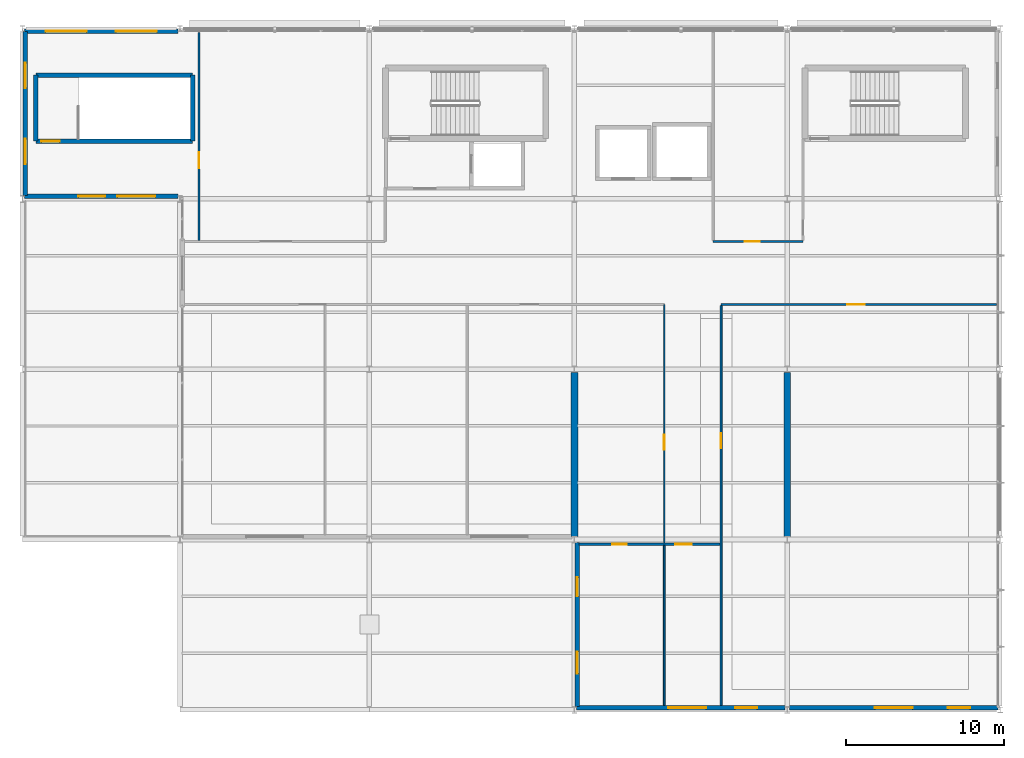
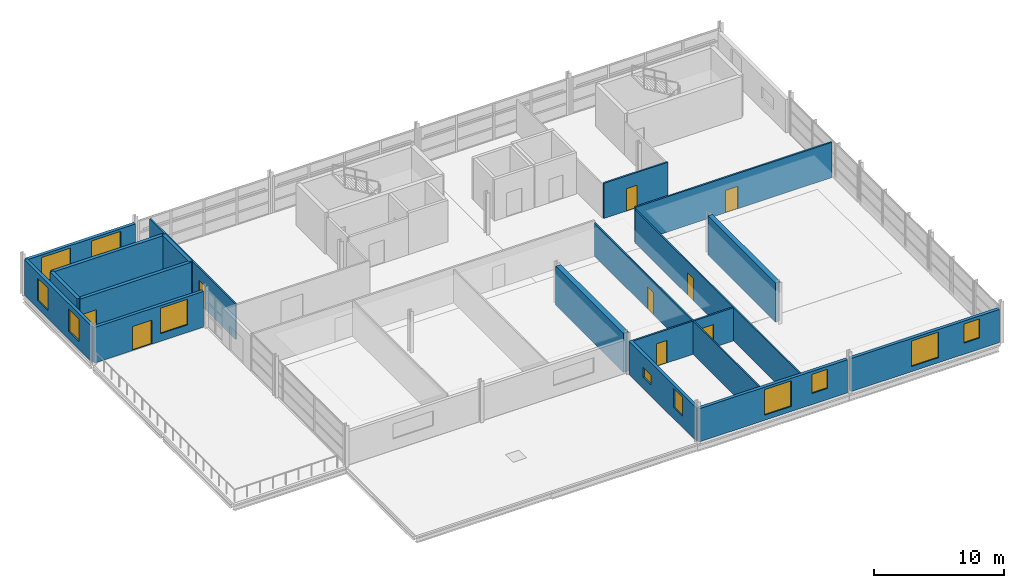
# One storey, part 28 of 33: 19 walls, 11 windows, 9 doors, 20 openings.
"""IFC4 building model written with IfcOpenShell, lengths in metres."""

from ifc_helpers import new_model, si_unit, direction, frame, frame_2d, origin, place, context, subcontext, project, spatial, rectangle, extrude, material, layer, layer_set, type_object, element, fill, save


model = new_model("IFC4")

# Units and contexts
model_context = context("Model", 3, precision=1e-05, world=origin(), true_north=direction((0.0, 1.0)))
body_context = subcontext(model_context, "Body", "Model", "MODEL_VIEW")
ifc_project = project(units=[si_unit("LENGTHUNIT", "METRE"), si_unit("AREAUNIT", "SQUARE_METRE"), si_unit("VOLUMEUNIT", "CUBIC_METRE"), si_unit("PLANEANGLEUNIT", "RADIAN"), si_unit("MASSUNIT", "GRAM", prefix="KILO")], contexts=[model_context])

# Site, building, storey
site_placement = place(None, origin())
site = spatial("IfcSite", under=ifc_project, at=site_placement, CompositionType="ELEMENT")
building_placement = place(site_placement, origin())
building = spatial("IfcBuilding", under=site, at=building_placement, Name="Tamarisk Ironworks Central Station", CompositionType="ELEMENT")
storey_placement = place(building_placement, frame((0.0, 0.0, 21.300048828125)))
storey = spatial("IfcBuildingStorey", under=building, at=storey_placement, Name="L04", CompositionType="ELEMENT", Elevation=21.300048828125)

# Wall, openings, windows
ifc_material_1 = material(Name="Clay facing brickwork and mortar", Category="masonry")
ifc_layer_1 = layer(ifc_material_1, 0.280029296875)
ifc_layer_set_1 = layer_set([ifc_layer_1], Name="Clay facing brickwork and mortar")
wall_type_1 = type_object("IfcWallType", Name="WL-BR280", PredefinedType="STANDARD", material=ifc_layer_set_1)
wall_1_placement = place(storey_placement, frame((118.14794921875, 122.22998046875, 0.0), z_axis=(0.0, 0.0, 1.0), x_axis=(1.0, 0.0, 0.0)))
wall_1 = element("IfcWall", 1, at=wall_1_placement, inside=storey, type_object=wall_type_1, Name="L04 brick facade wall 0088", PredefinedType="STANDARD", context=body_context, shape_type="SweptSolid", body=[
    extrude(rectangle(XDim=9.7041015625, YDim=0.280029296875, at=frame_2d((4.85205078125, 0.0))), origin(), (0.0, 0.0, 1.0), 3.349853515625),
])
opening_1_placement = place(wall_1_placement, frame((1.325927734375, 0.0, 0.7099609375)))
opening_1 = element("IfcOpeningElement", 2, at=opening_1_placement, cuts=wall_1, Name="Opening W05", PredefinedType="OPENING", context=body_context, shape_type="SweptSolid", body=[
    extrude(rectangle(XDim=2.60009765625, YDim=2.39990234375, at=frame_2d((1.300048828125, 1.199951171875))), frame((0.0, 0.15185546875, 0.0), z_axis=(0.0, -1.0, 0.0), x_axis=(1.0, 0.0, 0.0)), (0.0, 0.0, 1.0), 0.303955078125),
])
opening_2_placement = place(wall_1_placement, frame((5.778076171875, 0.0, 0.7099609375)))
opening_2 = element("IfcOpeningElement", 3, at=opening_2_placement, cuts=wall_1, Name="Opening W05", PredefinedType="OPENING", context=body_context, shape_type="SweptSolid", body=[
    extrude(rectangle(XDim=2.60009765625, YDim=2.39990234375, at=frame_2d((1.300048828125, 1.199951171875))), frame((0.0, 0.15185546875, 0.0), z_axis=(0.0, -1.0, 0.0), x_axis=(1.0, 0.0, 0.0)), (0.0, 0.0, 1.0), 0.303955078125),
])
ifc_material_2 = material(Name="Laminated solar-control low-E glass", Category="glass")
window_type_1 = type_object("IfcWindowType", Name="WN-05", PartitioningType="SINGLE_PANEL", PredefinedType="WINDOW", material=ifc_material_2)
window_1_placement = place(opening_1_placement, origin())
window_1 = element("IfcWindow", 4, at=window_1_placement, inside=storey, type_object=window_type_1, Name="L04 exterior window 0150", OverallHeight=2.39990234375, OverallWidth=2.60009765625, PartitioningType="DOUBLE_PANEL_VERTICAL", PredefinedType="WINDOW", context=body_context, shape_type="SweptSolid", body=[
    extrude(rectangle(XDim=2.60009765625, YDim=2.39990234375, at=frame_2d((1.300048828125, 1.199951171875))), frame((0.0, 0.030029296875, 0.0), z_axis=(0.0, -1.0, 0.0), x_axis=(1.0, 0.0, 0.0)), (0.0, 0.0, 1.0), 0.06005859375),
])
fill(opening_1, window_1)
window_2_placement = place(opening_2_placement, origin())
window_2 = element("IfcWindow", 5, at=window_2_placement, inside=storey, type_object=window_type_1, Name="L04 exterior window 0151", OverallHeight=2.39990234375, OverallWidth=2.60009765625, PartitioningType="DOUBLE_PANEL_VERTICAL", PredefinedType="WINDOW", context=body_context, shape_type="SweptSolid", body=[
    extrude(rectangle(XDim=2.60009765625, YDim=2.39990234375, at=frame_2d((1.300048828125, 1.199951171875))), frame((0.0, 0.030029296875, 0.0), z_axis=(0.0, -1.0, 0.0), x_axis=(1.0, 0.0, 0.0)), (0.0, 0.0, 1.0), 0.06005859375),
])
fill(opening_2, window_2)

wall_2_placement = place(storey_placement, frame((153.14794921875, 79.340087890625, 0.0), z_axis=(0.0, 0.0, 1.0), x_axis=(1.0, 0.0, 0.0)))
wall_2 = element("IfcWall", 6, at=wall_2_placement, inside=storey, type_object=wall_type_1, Name="L04 brick facade wall 0090", PredefinedType="STANDARD", context=body_context, shape_type="SweptSolid", body=[
    extrude(rectangle(XDim=13.2041015625, YDim=0.280029296875, at=frame_2d((6.60205078125, 0.0))), origin(), (0.0, 0.0, 1.0), 3.119873046875),
])
opening_3_placement = place(wall_2_placement, frame((5.802001953125, 0.0, 0.47998046875)))
opening_3 = element("IfcOpeningElement", 7, at=opening_3_placement, cuts=wall_2, Name="Opening W06", PredefinedType="OPENING", context=body_context, shape_type="SweptSolid", body=[
    extrude(rectangle(XDim=2.39990234375, YDim=2.39990234375, at=frame_2d((1.199951171875, 1.199951171875))), frame((0.0, 0.15185546875, 0.0), z_axis=(0.0, -1.0, 0.0), x_axis=(1.0, 0.0, 0.0)), (0.0, 0.0, 1.0), 0.303955078125),
])
opening_4_placement = place(wall_2_placement, frame((10.037109375, 0.0, 1.050048828125)))
opening_4 = element("IfcOpeningElement", 8, at=opening_4_placement, cuts=wall_2, Name="Opening W12", PredefinedType="OPENING", context=body_context, shape_type="SweptSolid", body=[
    extrude(rectangle(XDim=1.39990234375, YDim=1.800048828125, at=frame_2d((0.699951171875, 0.89990234375))), frame((0.0, 0.15185546875, 0.0), z_axis=(0.0, -1.0, 0.0), x_axis=(1.0, 0.0, 0.0)), (0.0, 0.0, 1.0), 0.303955078125),
])
window_type_2 = type_object("IfcWindowType", Name="WN-06", PartitioningType="SINGLE_PANEL", PredefinedType="WINDOW", material=ifc_material_2)
window_3_placement = place(opening_3_placement, origin())
window_3 = element("IfcWindow", 9, at=window_3_placement, inside=storey, type_object=window_type_2, Name="L04 exterior window 0154", OverallHeight=2.39990234375, OverallWidth=2.39990234375, PartitioningType="DOUBLE_PANEL_VERTICAL", PredefinedType="WINDOW", context=body_context, shape_type="SweptSolid", body=[
    extrude(rectangle(XDim=2.39990234375, YDim=2.39990234375, at=frame_2d((1.199951171875, 1.199951171875))), frame((0.0, 0.030029296875, 0.0), z_axis=(0.0, -1.0, 0.0), x_axis=(1.0, 0.0, 0.0)), (0.0, 0.0, 1.0), 0.06005859375),
])
fill(opening_3, window_3)
window_type_3 = type_object("IfcWindowType", Name="WN-12", PartitioningType="SINGLE_PANEL", PredefinedType="WINDOW", material=ifc_material_2)
window_4_placement = place(opening_4_placement, origin())
window_4 = element("IfcWindow", 10, at=window_4_placement, inside=storey, type_object=window_type_3, Name="L04 exterior window 0155", OverallHeight=1.800048828125, OverallWidth=1.39990234375, PartitioningType="DOUBLE_PANEL_VERTICAL", PredefinedType="WINDOW", context=body_context, shape_type="SweptSolid", body=[
    extrude(rectangle(XDim=1.39990234375, YDim=1.800048828125, at=frame_2d((0.699951171875, 0.89990234375))), frame((0.0, 0.030029296875, 0.0), z_axis=(0.0, -1.0, 0.0), x_axis=(1.0, 0.0, 0.0)), (0.0, 0.0, 1.0), 0.06005859375),
])
fill(opening_4, window_4)

wall_3_placement = place(storey_placement, frame((166.64794921875, 79.340087890625, 0.0), z_axis=(0.0, 0.0, 1.0), x_axis=(1.0, 0.0, 0.0)))
wall_3 = element("IfcWall", 11, at=wall_3_placement, inside=storey, type_object=wall_type_1, Name="L04 brick facade wall 0091", PredefinedType="STANDARD", context=body_context, shape_type="SweptSolid", body=[
    extrude(rectangle(XDim=13.2041015625, YDim=0.280029296875, at=frame_2d((6.60205078125, 0.0))), origin(), (0.0, 0.0, 1.0), 3.119873046875),
])
opening_5_placement = place(wall_3_placement, frame((5.402099609375, 0.0, 0.47998046875)))
opening_5 = element("IfcOpeningElement", 12, at=opening_5_placement, cuts=wall_3, Name="Opening W06", PredefinedType="OPENING", context=body_context, shape_type="SweptSolid", body=[
    extrude(rectangle(XDim=2.39990234375, YDim=2.39990234375, at=frame_2d((1.199951171875, 1.199951171875))), frame((0.0, 0.15185546875, 0.0), z_axis=(0.0, -1.0, 0.0), x_axis=(1.0, 0.0, 0.0)), (0.0, 0.0, 1.0), 0.303955078125),
])
opening_6_placement = place(wall_3_placement, frame((10.037109375, 0.0, 1.050048828125)))
opening_6 = element("IfcOpeningElement", 13, at=opening_6_placement, cuts=wall_3, Name="Opening W12", PredefinedType="OPENING", context=body_context, shape_type="SweptSolid", body=[
    extrude(rectangle(XDim=1.39990234375, YDim=1.800048828125, at=frame_2d((0.699951171875, 0.89990234375))), frame((0.0, 0.15185546875, 0.0), z_axis=(0.0, -1.0, 0.0), x_axis=(1.0, 0.0, 0.0)), (0.0, 0.0, 1.0), 0.303955078125),
])
window_5_placement = place(opening_5_placement, origin())
window_5 = element("IfcWindow", 14, at=window_5_placement, inside=storey, type_object=window_type_2, Name="L04 exterior window 0156", OverallHeight=2.39990234375, OverallWidth=2.39990234375, PartitioningType="DOUBLE_PANEL_VERTICAL", PredefinedType="WINDOW", context=body_context, shape_type="SweptSolid", body=[
    extrude(rectangle(XDim=2.39990234375, YDim=2.39990234375, at=frame_2d((1.199951171875, 1.199951171875))), frame((0.0, 0.030029296875, 0.0), z_axis=(0.0, -1.0, 0.0), x_axis=(1.0, 0.0, 0.0)), (0.0, 0.0, 1.0), 0.06005859375),
])
fill(opening_5, window_5)
window_6_placement = place(opening_6_placement, origin())
window_6 = element("IfcWindow", 15, at=window_6_placement, inside=storey, type_object=window_type_3, Name="L04 exterior window 0157", OverallHeight=1.800048828125, OverallWidth=1.39990234375, PartitioningType="DOUBLE_PANEL_VERTICAL", PredefinedType="WINDOW", context=body_context, shape_type="SweptSolid", body=[
    extrude(rectangle(XDim=1.39990234375, YDim=1.800048828125, at=frame_2d((0.699951171875, 0.89990234375))), frame((0.0, 0.030029296875, 0.0), z_axis=(0.0, -1.0, 0.0), x_axis=(1.0, 0.0, 0.0)), (0.0, 0.0, 1.0), 0.06005859375),
])
fill(opening_6, window_6)

wall_4_placement = place(storey_placement, frame((118.169921875, 111.798095703125, 0.0), z_axis=(0.0, 0.0, 1.0), x_axis=(0.0, 1.0, 0.0)))
wall_4 = element("IfcWall", 16, at=wall_4_placement, inside=storey, type_object=wall_type_1, Name="L04 brick facade wall 0092", PredefinedType="STANDARD", context=body_context, shape_type="SweptSolid", body=[
    extrude(rectangle(XDim=10.423828125, YDim=0.280029296875, at=frame_2d((5.2119140625, 0.0))), origin(), (0.0, 0.0, 1.0), 3.349853515625),
])
opening_7_placement = place(wall_4_placement, frame((2.006103515625, 0.0, 0.75)))
opening_7 = element("IfcOpeningElement", 17, at=opening_7_placement, cuts=wall_4, Name="Opening W10", PredefinedType="OPENING", context=body_context, shape_type="SweptSolid", body=[
    extrude(rectangle(XDim=1.60009765625, YDim=2.10009765625, at=frame_2d((0.800048828125, 1.050048828125))), frame((0.0, 0.15185546875, 0.0), z_axis=(0.0, -1.0, 0.0), x_axis=(1.0, 0.0, 0.0)), (0.0, 0.0, 1.0), 0.303955078125),
])
opening_8_placement = place(wall_4_placement, frame((6.818115234375, 0.0, 0.75)))
opening_8 = element("IfcOpeningElement", 18, at=opening_8_placement, cuts=wall_4, Name="Opening W10", PredefinedType="OPENING", context=body_context, shape_type="SweptSolid", body=[
    extrude(rectangle(XDim=1.60009765625, YDim=2.10009765625, at=frame_2d((0.800048828125, 1.050048828125))), frame((0.0, 0.15185546875, 0.0), z_axis=(0.0, -1.0, 0.0), x_axis=(1.0, 0.0, 0.0)), (0.0, 0.0, 1.0), 0.303955078125),
])
window_type_4 = type_object("IfcWindowType", Name="WN-10", PartitioningType="SINGLE_PANEL", PredefinedType="WINDOW", material=ifc_material_2)
window_7_placement = place(opening_7_placement, origin())
window_7 = element("IfcWindow", 19, at=window_7_placement, inside=storey, type_object=window_type_4, Name="L04 exterior window 0158", OverallHeight=2.10009765625, OverallWidth=1.60009765625, PartitioningType="DOUBLE_PANEL_VERTICAL", PredefinedType="WINDOW", context=body_context, shape_type="SweptSolid", body=[
    extrude(rectangle(XDim=1.60009765625, YDim=2.10009765625, at=frame_2d((0.800048828125, 1.050048828125))), frame((0.0, 0.030029296875, 0.0), z_axis=(0.0, -1.0, 0.0), x_axis=(1.0, 0.0, 0.0)), (0.0, 0.0, 1.0), 0.06005859375),
])
fill(opening_7, window_7)
window_8_placement = place(opening_8_placement, origin())
window_8 = element("IfcWindow", 20, at=window_8_placement, inside=storey, type_object=window_type_4, Name="L04 exterior window 0159", OverallHeight=2.10009765625, OverallWidth=1.60009765625, PartitioningType="DOUBLE_PANEL_VERTICAL", PredefinedType="WINDOW", context=body_context, shape_type="SweptSolid", body=[
    extrude(rectangle(XDim=1.60009765625, YDim=2.10009765625, at=frame_2d((0.800048828125, 1.050048828125))), frame((0.0, 0.030029296875, 0.0), z_axis=(0.0, -1.0, 0.0), x_axis=(1.0, 0.0, 0.0)), (0.0, 0.0, 1.0), 0.06005859375),
])
fill(opening_8, window_8)

# Wall, openings, door, window
wall_5_placement = place(storey_placement, frame((118.14794921875, 111.77001953125, 0.0), z_axis=(0.0, 0.0, 1.0), x_axis=(1.0, 0.0, 0.0)))
wall_5 = element("IfcWall", 21, at=wall_5_placement, inside=storey, type_object=wall_type_1, Name="L04 brick facade wall 0093", PredefinedType="STANDARD", context=body_context, shape_type="SweptSolid", body=[
    extrude(rectangle(XDim=9.7041015625, YDim=0.280029296875, at=frame_2d((4.85205078125, 0.0))), origin(), (0.0, 0.0, 1.0), 3.349853515625),
])
opening_9_placement = place(wall_5_placement, frame((3.39990234375, 0.0, 0.0048828125)))
opening_9 = element("IfcOpeningElement", 22, at=opening_9_placement, cuts=wall_5, Name="Opening TD02", PredefinedType="OPENING", context=body_context, shape_type="SweptSolid", body=[
    extrude(rectangle(XDim=1.699951171875, YDim=2.25, at=frame_2d((0.85009765625, 1.125))), frame((0.0, 0.15185546875, 0.0), z_axis=(0.0, -1.0, 0.0), x_axis=(1.0, 0.0, 0.0)), (0.0, 0.0, 1.0), 0.303955078125),
])
opening_10_placement = place(wall_5_placement, frame((5.8779296875, 0.0, 0.7099609375)))
opening_10 = element("IfcOpeningElement", 23, at=opening_10_placement, cuts=wall_5, Name="Opening W06", PredefinedType="OPENING", context=body_context, shape_type="SweptSolid", body=[
    extrude(rectangle(XDim=2.39990234375, YDim=2.39990234375, at=frame_2d((1.199951171875, 1.199951171875))), frame((0.0, 0.15185546875, 0.0), z_axis=(0.0, -1.0, 0.0), x_axis=(1.0, 0.0, 0.0)), (0.0, 0.0, 1.0), 0.303955078125),
])
ifc_material_3 = material(Name="Anodized aluminium alloy 6063-T6", Category="aluminium")
door_type_1 = type_object("IfcDoorType", Name="DR-TD02", OperationType="NOTDEFINED", PredefinedType="DOOR", material=ifc_material_3)
door_1_placement = place(opening_9_placement, origin())
door_1 = element("IfcDoor", 24, at=door_1_placement, inside=storey, type_object=door_type_1, Name="L04 exterior entrance door 0014", OperationType="SINGLE_SWING_LEFT", OverallHeight=2.25, OverallWidth=1.699951171875, PredefinedType="DOOR", context=body_context, shape_type="SweptSolid", body=[
    extrude(rectangle(XDim=1.699951171875, YDim=2.25, at=frame_2d((0.85009765625, 1.125))), frame((0.0, 0.02490234375, 0.0), z_axis=(0.0, -1.0, 0.0), x_axis=(1.0, 0.0, 0.0)), (0.0, 0.0, 1.0), 0.050048828125),
])
fill(opening_9, door_1)
window_9_placement = place(opening_10_placement, origin())
window_9 = element("IfcWindow", 25, at=window_9_placement, inside=storey, type_object=window_type_2, Name="L04 exterior window 0160", OverallHeight=2.39990234375, OverallWidth=2.39990234375, PartitioningType="DOUBLE_PANEL_VERTICAL", PredefinedType="WINDOW", context=body_context, shape_type="SweptSolid", body=[
    extrude(rectangle(XDim=2.39990234375, YDim=2.39990234375, at=frame_2d((1.199951171875, 1.199951171875))), frame((0.0, 0.030029296875, 0.0), z_axis=(0.0, -1.0, 0.0), x_axis=(1.0, 0.0, 0.0)), (0.0, 0.0, 1.0), 0.06005859375),
])
fill(opening_10, window_9)

# Wall, openings, windows
wall_6_placement = place(storey_placement, frame((153.169921875, 79.39794921875, 0.0), z_axis=(0.0, 0.0, 1.0), x_axis=(0.0, 1.0, 0.0)))
wall_6 = element("IfcWall", 26, at=wall_6_placement, inside=storey, type_object=wall_type_1, Name="L04 brick facade wall 0096", PredefinedType="STANDARD", context=body_context, shape_type="SweptSolid", body=[
    extrude(rectangle(XDim=10.404052734375, YDim=0.280029296875, at=frame_2d((5.2021484375, 0.0))), origin(), (0.0, 0.0, 1.0), 3.119873046875),
])
opening_11_placement = place(wall_6_placement, frame((2.10107421875, 0.0, 1.050048828125)))
opening_11 = element("IfcOpeningElement", 27, at=opening_11_placement, cuts=wall_6, Name="Opening W12", PredefinedType="OPENING", context=body_context, shape_type="SweptSolid", body=[
    extrude(rectangle(XDim=1.39990234375, YDim=1.800048828125, at=frame_2d((0.699951171875, 0.89990234375))), frame((0.0, 0.15185546875, 0.0), z_axis=(0.0, -1.0, 0.0), x_axis=(1.0, 0.0, 0.0)), (0.0, 0.0, 1.0), 0.303955078125),
])
opening_12_placement = place(wall_6_placement, frame((7.0029296875, 0.0, 1.050048828125)))
opening_12 = element("IfcOpeningElement", 28, at=opening_12_placement, cuts=wall_6, Name="Opening W19", PredefinedType="OPENING", context=body_context, shape_type="SweptSolid", body=[
    extrude(rectangle(XDim=1.199951171875, YDim=0.89990234375, at=frame_2d((0.60009765625, 0.449951171875))), frame((0.0, 0.15185546875, 0.0), z_axis=(0.0, -1.0, 0.0), x_axis=(1.0, 0.0, 0.0)), (0.0, 0.0, 1.0), 0.303955078125),
])
window_10_placement = place(opening_11_placement, origin())
window_10 = element("IfcWindow", 29, at=window_10_placement, inside=storey, type_object=window_type_3, Name="L04 exterior window 0163", OverallHeight=1.800048828125, OverallWidth=1.39990234375, PartitioningType="DOUBLE_PANEL_VERTICAL", PredefinedType="WINDOW", context=body_context, shape_type="SweptSolid", body=[
    extrude(rectangle(XDim=1.39990234375, YDim=1.800048828125, at=frame_2d((0.699951171875, 0.89990234375))), frame((0.0, 0.030029296875, 0.0), z_axis=(0.0, -1.0, 0.0), x_axis=(1.0, 0.0, 0.0)), (0.0, 0.0, 1.0), 0.06005859375),
])
fill(opening_11, window_10)
window_type_5 = type_object("IfcWindowType", Name="WN-19", PartitioningType="SINGLE_PANEL", PredefinedType="WINDOW", material=ifc_material_2)
window_11_placement = place(opening_12_placement, origin())
window_11 = element("IfcWindow", 30, at=window_11_placement, inside=storey, type_object=window_type_5, Name="L04 exterior window 0164", OverallHeight=0.89990234375, OverallWidth=1.199951171875, PartitioningType="DOUBLE_PANEL_VERTICAL", PredefinedType="WINDOW", context=body_context, shape_type="SweptSolid", body=[
    extrude(rectangle(XDim=1.199951171875, YDim=0.89990234375, at=frame_2d((0.60009765625, 0.449951171875))), frame((0.0, 0.030029296875, 0.0), z_axis=(0.0, -1.0, 0.0), x_axis=(1.0, 0.0, 0.0)), (0.0, 0.0, 1.0), 0.06005859375),
])
fill(opening_12, window_11)

# Wall, opening, door
ifc_material_4 = material(Name="Concrete C50/60", Category="concrete")
ifc_layer_2 = layer(ifc_material_4, 0.300048828125)
ifc_layer_set_2 = layer_set([ifc_layer_2], Name="Concrete C50/60")
wall_type_2 = type_object("IfcWallType", Name="WL-CW300", PredefinedType="SOLIDWALL", material=ifc_layer_set_2)
wall_7_placement = place(storey_placement, frame((118.85498046875, 115.2548828125, 0.0), z_axis=(0.0, 0.0, 1.0), x_axis=(1.0, 0.0, 0.0)))
wall_7 = element("IfcWall", 31, at=wall_7_placement, inside=storey, type_object=wall_type_2, Name="ST-C5 core wall L (L04)", PredefinedType="SOLIDWALL", context=body_context, shape_type="SweptSolid", body=[
    extrude(rectangle(XDim=9.93994140625, YDim=0.300048828125, at=frame_2d((4.969970703125, 0.0))), origin(), (0.0, 0.0, 1.0), 3.64990234375),
])
opening_13_placement = place(wall_7_placement, frame((0.35009765625, 0.0, 0.0048828125)))
opening_13 = element("IfcOpeningElement", 32, at=opening_13_placement, cuts=wall_7, Name="Opening FD06", PredefinedType="OPENING", context=body_context, shape_type="SweptSolid", body=[
    extrude(rectangle(XDim=1.14990234375, YDim=2.14990234375, at=frame_2d((0.574951171875, 1.074951171875))), frame((0.0, 0.162109375, 0.0), z_axis=(0.0, -1.0, 0.0), x_axis=(1.0, 0.0, 0.0)), (0.0, 0.0, 1.0), 0.323974609375),
])
ifc_material_5 = material(Name="Galvanised hollow-metal door steel", Category="steel")
door_type_2 = type_object("IfcDoorType", Name="DR-FD06", OperationType="NOTDEFINED", PredefinedType="DOOR", material=ifc_material_5)
door_2_placement = place(opening_13_placement, origin())
door_2 = element("IfcDoor", 33, at=door_2_placement, inside=storey, type_object=door_type_2, Name="ST-C5 fire stair door (L04)", OperationType="SINGLE_SWING_LEFT", OverallHeight=2.14990234375, OverallWidth=1.14990234375, PredefinedType="DOOR", context=body_context, shape_type="SweptSolid", body=[
    extrude(rectangle(XDim=1.14990234375, YDim=2.14990234375, at=frame_2d((0.574951171875, 1.074951171875))), frame((0.0, 0.02490234375, 0.0), z_axis=(0.0, -1.0, 0.0), x_axis=(1.0, 0.0, 0.0)), (0.0, 0.0, 1.0), 0.050048828125),
])
fill(opening_13, door_2)

# Walls
wall_8_placement = place(storey_placement, frame((118.85498046875, 119.445068359375, 0.0), z_axis=(0.0, 0.0, 1.0), x_axis=(1.0, 0.0, 0.0)))
element("IfcWall", 34, at=wall_8_placement, inside=storey, type_object=wall_type_2, Name="ST-C5 core wall R (L04)", PredefinedType="SOLIDWALL", context=body_context, shape_type="SweptSolid", body=[
    extrude(rectangle(XDim=9.93994140625, YDim=0.300048828125, at=frame_2d((4.969970703125, 0.0))), origin(), (0.0, 0.0, 1.0), 3.64990234375),
])
for number, where, z_axis, x_axis, name in (
    (35, (118.85498046875, 115.2548828125, 0.0), (0.0, 0.0, 1.0), (0.0, 1.0, 0.0), "ST-C5 core wall N (L04)"),
    (36, (128.794921875, 115.2548828125, 0.0), (0.0, 0.0, 1.0), (0.0, 1.0, 0.0), "ST-C5 core wall F (L04)"),
):
    element("IfcWall", number, at=place(storey_placement, frame(where, z_axis=z_axis, x_axis=x_axis)), inside=storey, type_object=wall_type_2, Name=name, PredefinedType="SOLIDWALL", context=body_context, shape_type="SweptSolid", body=[
        extrude(rectangle(XDim=4.190185546875, YDim=0.300048828125, at=frame_2d((2.09521484375, 0.0))), origin(), (0.0, 0.0, 1.0), 3.64990234375),
    ])

# Wall, opening, door
ifc_material_6 = material(Name="Gypsum plasterboard acoustic partition")
ifc_layer_3 = layer(ifc_material_6, 0.1201171875)
ifc_layer_set_3 = layer_set([ifc_layer_3], Name="Gypsum plasterboard acoustic partition")
wall_type_3 = type_object("IfcWallType", Name="WL-PT120", PredefinedType="PARTITIONING", material=ifc_layer_set_3)
wall_9_placement = place(storey_placement, frame((158.699951171875, 89.699951171875, 0.0), z_axis=(0.0, 0.0, 1.0), x_axis=(0.0, 1.0, 0.0)))
wall_9 = element("IfcWall", 37, at=wall_9_placement, inside=storey, type_object=wall_type_3, Name="L04 interior partition 0117", PredefinedType="PARTITIONING", context=body_context, shape_type="SweptSolid", body=[
    extrude(rectangle(XDim=15.199951171875, YDim=0.1201171875, at=frame_2d((7.60009765625, 0.0))), origin(), (0.0, 0.0, 1.0), 3.119873046875),
])
opening_14_placement = place(wall_9_placement, frame((6.0, 0.0, 0.0048828125)))
opening_14 = element("IfcOpeningElement", 38, at=opening_14_placement, cuts=wall_9, Name="Opening D07", PredefinedType="OPENING", context=body_context, shape_type="SweptSolid", body=[
    extrude(rectangle(XDim=0.949951171875, YDim=2.10009765625, at=frame_2d((0.47509765625, 1.050048828125))), frame((0.0, 0.072021484375, 0.0), z_axis=(0.0, -1.0, 0.0), x_axis=(1.0, 0.0, 0.0)), (0.0, 0.0, 1.0), 0.14404296875),
])
ifc_material_7 = material(Name="FSC certified tropical hardwood timber", Category="wood")
door_type_3 = type_object("IfcDoorType", Name="DR-ID07", OperationType="NOTDEFINED", PredefinedType="DOOR", material=ifc_material_7)
door_3_placement = place(opening_14_placement, origin())
door_3 = element("IfcDoor", 39, at=door_3_placement, inside=storey, type_object=door_type_3, Name="L04 room door 0088", OperationType="SINGLE_SWING_LEFT", OverallHeight=2.10009765625, OverallWidth=0.949951171875, PredefinedType="DOOR", context=body_context, shape_type="SweptSolid", body=[
    extrude(rectangle(XDim=0.949951171875, YDim=2.10009765625, at=frame_2d((0.47509765625, 1.050048828125))), frame((0.0, 0.02490234375, 0.0), z_axis=(0.0, -1.0, 0.0), x_axis=(1.0, 0.0, 0.0)), (0.0, 0.0, 1.0), 0.050048828125),
])
fill(opening_14, door_3)

wall_10_placement = place(storey_placement, frame((162.300048828125, 79.47802734375, 0.0), z_axis=(0.0, 0.0, 1.0), x_axis=(0.0, 1.0, 0.0)))
wall_10 = element("IfcWall", 40, at=wall_10_placement, inside=storey, type_object=wall_type_3, Name="L04 interior partition 0118", PredefinedType="PARTITIONING", context=body_context, shape_type="SweptSolid", body=[
    extrude(rectangle(XDim=25.348876953125, YDim=0.1201171875, at=frame_2d((12.67431640625, 0.0))), origin(), (0.0, 0.0, 1.0), 3.119873046875),
])
opening_15_placement = place(wall_10_placement, frame((16.322021484375, 0.0, 0.0048828125)))
opening_15 = element("IfcOpeningElement", 41, at=opening_15_placement, cuts=wall_10, Name="Opening D07", PredefinedType="OPENING", context=body_context, shape_type="SweptSolid", body=[
    extrude(rectangle(XDim=0.949951171875, YDim=2.10009765625, at=frame_2d((0.47509765625, 1.050048828125))), frame((0.0, 0.072021484375, 0.0), z_axis=(0.0, -1.0, 0.0), x_axis=(1.0, 0.0, 0.0)), (0.0, 0.0, 1.0), 0.14404296875),
])
door_4_placement = place(opening_15_placement, origin())
door_4 = element("IfcDoor", 42, at=door_4_placement, inside=storey, type_object=door_type_3, Name="L04 room door 0089", OperationType="SINGLE_SWING_RIGHT", OverallHeight=2.10009765625, OverallWidth=0.949951171875, PredefinedType="DOOR", context=body_context, shape_type="SweptSolid", body=[
    extrude(rectangle(XDim=0.949951171875, YDim=2.10009765625, at=frame_2d((0.47509765625, 1.050048828125))), frame((0.0, 0.02490234375, 0.0), z_axis=(0.0, -1.0, 0.0), x_axis=(1.0, 0.0, 0.0)), (0.0, 0.0, 1.0), 0.050048828125),
])
fill(opening_15, door_4)

# Wall
wall_11_placement = place(storey_placement, frame((158.699951171875, 79.47802734375, 0.0), z_axis=(0.0, 0.0, 1.0), x_axis=(0.0, 1.0, 0.0)))
element("IfcWall", 43, at=wall_11_placement, inside=storey, type_object=wall_type_3, Name="L04 interior partition 0127", PredefinedType="PARTITIONING", context=body_context, shape_type="SweptSolid", body=[
    extrude(rectangle(XDim=10.14892578125, YDim=0.1201171875, at=frame_2d((5.074462890625, 0.0))), origin(), (0.0, 0.0, 1.0), 3.119873046875),
])

# Wall, opening, door
ifc_layer_4 = layer(ifc_material_6, 0.14990234375)
ifc_layer_set_4 = layer_set([ifc_layer_4], Name="Gypsum plasterboard acoustic partition")
wall_type_4 = type_object("IfcWallType", Name="WL-PT150", PredefinedType="PARTITIONING", material=ifc_layer_set_4)
wall_12_placement = place(storey_placement, frame((162.300048828125, 104.89990234375, 0.0), z_axis=(0.0, 0.0, 1.0), x_axis=(1.0, 0.0, 0.0)))
wall_12 = element("IfcWall", 44, at=wall_12_placement, inside=storey, type_object=wall_type_4, Name="L04 interior partition 0116", PredefinedType="PARTITIONING", context=body_context, shape_type="SweptSolid", body=[
    extrude(rectangle(XDim=17.4619140625, YDim=0.14990234375, at=frame_2d((8.73095703125, 0.0))), origin(), (0.0, 0.0, 1.0), 3.31005859375),
])
opening_16_placement = place(wall_12_placement, frame((8.0, 0.0, 0.0048828125)))
opening_16 = element("IfcOpeningElement", 45, at=opening_16_placement, cuts=wall_12, Name="Opening D05", PredefinedType="OPENING", context=body_context, shape_type="SweptSolid", body=[
    extrude(rectangle(XDim=1.10009765625, YDim=2.10009765625, at=frame_2d((0.550048828125, 1.050048828125))), frame((0.0, 0.0869140625, 0.0), z_axis=(0.0, -1.0, 0.0), x_axis=(1.0, 0.0, 0.0)), (0.0, 0.0, 1.0), 0.173828125),
])
door_type_4 = type_object("IfcDoorType", Name="DR-ID05", OperationType="NOTDEFINED", PredefinedType="DOOR", material=ifc_material_7)
door_5_placement = place(opening_16_placement, origin())
door_5 = element("IfcDoor", 46, at=door_5_placement, inside=storey, type_object=door_type_4, Name="L04 room door 0087", OperationType="SINGLE_SWING_LEFT", OverallHeight=2.10009765625, OverallWidth=1.10009765625, PredefinedType="DOOR", context=body_context, shape_type="SweptSolid", body=[
    extrude(rectangle(XDim=1.10009765625, YDim=2.10009765625, at=frame_2d((0.550048828125, 1.050048828125))), frame((0.0, 0.02490234375, 0.0), z_axis=(0.0, -1.0, 0.0), x_axis=(1.0, 0.0, 0.0)), (0.0, 0.0, 1.0), 0.050048828125),
])
fill(opening_16, door_5)

wall_13_placement = place(storey_placement, frame((129.199951171875, 108.972900390625, 0.0), z_axis=(0.0, 0.0, 1.0), x_axis=(0.0, 1.0, 0.0)))
wall_13 = element("IfcWall", 47, at=wall_13_placement, inside=storey, type_object=wall_type_4, Name="L04 interior partition 0121", PredefinedType="PARTITIONING", context=body_context, shape_type="SweptSolid", body=[
    extrude(rectangle(XDim=13.189208984375, YDim=0.14990234375, at=frame_2d((6.5947265625, 0.0))), origin(), (0.0, 0.0, 1.0), 3.329833984375),
])
opening_17_placement = place(wall_13_placement, frame((4.572998046875, 0.0, 0.0048828125)))
opening_17 = element("IfcOpeningElement", 48, at=opening_17_placement, cuts=wall_13, Name="Opening FD07", PredefinedType="OPENING", context=body_context, shape_type="SweptSolid", body=[
    extrude(rectangle(XDim=1.0, YDim=2.14990234375, at=frame_2d((0.5, 1.074951171875))), frame((0.0, 0.0869140625, 0.0), z_axis=(0.0, -1.0, 0.0), x_axis=(1.0, 0.0, 0.0)), (0.0, 0.0, 1.0), 0.173828125),
])
door_type_5 = type_object("IfcDoorType", Name="DR-FD07", OperationType="NOTDEFINED", PredefinedType="DOOR", material=ifc_material_5)
door_6_placement = place(opening_17_placement, origin())
door_6 = element("IfcDoor", 49, at=door_6_placement, inside=storey, type_object=door_type_5, Name="L04 room door 0091", OperationType="SINGLE_SWING_RIGHT", OverallHeight=2.14990234375, OverallWidth=1.0, PredefinedType="DOOR", context=body_context, shape_type="SweptSolid", body=[
    extrude(rectangle(XDim=1.0, YDim=2.14990234375, at=frame_2d((0.5, 1.074951171875))), frame((0.0, 0.02490234375, 0.0), z_axis=(0.0, -1.0, 0.0), x_axis=(1.0, 0.0, 0.0)), (0.0, 0.0, 1.0), 0.050048828125),
])
fill(opening_17, door_6)

wall_14_placement = place(storey_placement, frame((161.800048828125, 108.89990234375, 0.0), z_axis=(0.0, 0.0, 1.0), x_axis=(1.0, 0.0, 0.0)))
wall_14 = element("IfcWall", 50, at=wall_14_placement, inside=storey, type_object=wall_type_4, Name="L04 interior partition 0122", PredefinedType="PARTITIONING", context=body_context, shape_type="SweptSolid", body=[
    extrude(rectangle(XDim=5.699951171875, YDim=0.14990234375, at=frame_2d((2.85009765625, 0.0))), origin(), (0.0, 0.0, 1.0), 3.31005859375),
])
opening_18_placement = place(wall_14_placement, frame((2.0, 0.0, 0.0048828125)))
opening_18 = element("IfcOpeningElement", 51, at=opening_18_placement, cuts=wall_14, Name="Opening D07", PredefinedType="OPENING", context=body_context, shape_type="SweptSolid", body=[
    extrude(rectangle(XDim=0.949951171875, YDim=2.10009765625, at=frame_2d((0.47509765625, 1.050048828125))), frame((0.0, 0.0869140625, 0.0), z_axis=(0.0, -1.0, 0.0), x_axis=(1.0, 0.0, 0.0)), (0.0, 0.0, 1.0), 0.173828125),
])
door_7_placement = place(opening_18_placement, origin())
door_7 = element("IfcDoor", 52, at=door_7_placement, inside=storey, type_object=door_type_3, Name="L04 room door 0092", OperationType="SINGLE_SWING_LEFT", OverallHeight=2.10009765625, OverallWidth=0.949951171875, PredefinedType="DOOR", context=body_context, shape_type="SweptSolid", body=[
    extrude(rectangle(XDim=0.949951171875, YDim=2.10009765625, at=frame_2d((0.47509765625, 1.050048828125))), frame((0.0, 0.02490234375, 0.0), z_axis=(0.0, -1.0, 0.0), x_axis=(1.0, 0.0, 0.0)), (0.0, 0.0, 1.0), 0.050048828125),
])
fill(opening_18, door_7)

# Wall, openings, doors
wall_15_placement = place(storey_placement, frame((153.30810546875, 89.699951171875, 0.0), z_axis=(0.0, 0.0, 1.0), x_axis=(1.0, 0.0, 0.0)))
wall_15 = element("IfcWall", 53, at=wall_15_placement, inside=storey, type_object=wall_type_4, Name="L04 interior partition 0126", PredefinedType="PARTITIONING", context=body_context, shape_type="SweptSolid", body=[
    extrude(rectangle(XDim=8.933837890625, YDim=0.14990234375, at=frame_2d((4.466796875, 0.0))), origin(), (0.0, 0.0, 1.0), 3.119873046875),
])
opening_19_placement = place(wall_15_placement, frame((2.092041015625, 0.0, 0.0048828125)))
opening_19 = element("IfcOpeningElement", 54, at=opening_19_placement, cuts=wall_15, Name="Opening WC01", PredefinedType="OPENING", context=body_context, shape_type="SweptSolid", body=[
    extrude(rectangle(XDim=0.919921875, YDim=2.1201171875, at=frame_2d((0.4599609375, 1.06005859375))), frame((0.0, 0.0869140625, 0.0), z_axis=(0.0, -1.0, 0.0), x_axis=(1.0, 0.0, 0.0)), (0.0, 0.0, 1.0), 0.173828125),
])
opening_20_placement = place(wall_15_placement, frame((6.092041015625, 0.0, 0.0048828125)))
opening_20 = element("IfcOpeningElement", 55, at=opening_20_placement, cuts=wall_15, Name="Opening WC02", PredefinedType="OPENING", context=body_context, shape_type="SweptSolid", body=[
    extrude(rectangle(XDim=1.050048828125, YDim=2.14990234375, at=frame_2d((0.52490234375, 1.074951171875))), frame((0.0, 0.0869140625, 0.0), z_axis=(0.0, -1.0, 0.0), x_axis=(1.0, 0.0, 0.0)), (0.0, 0.0, 1.0), 0.173828125),
])
door_type_6 = type_object("IfcDoorType", Name="DR-WC01", OperationType="NOTDEFINED", PredefinedType="DOOR", material=ifc_material_7)
door_8_placement = place(opening_19_placement, origin())
door_8 = element("IfcDoor", 56, at=door_8_placement, inside=storey, type_object=door_type_6, Name="L04 room door 0094", OperationType="SINGLE_SWING_LEFT", OverallHeight=2.1201171875, OverallWidth=0.919921875, PredefinedType="DOOR", context=body_context, shape_type="SweptSolid", body=[
    extrude(rectangle(XDim=0.919921875, YDim=2.1201171875, at=frame_2d((0.4599609375, 1.06005859375))), frame((0.0, 0.02490234375, 0.0), z_axis=(0.0, -1.0, 0.0), x_axis=(1.0, 0.0, 0.0)), (0.0, 0.0, 1.0), 0.050048828125),
])
fill(opening_19, door_8)
door_type_7 = type_object("IfcDoorType", Name="DR-WC02", OperationType="NOTDEFINED", PredefinedType="DOOR", material=ifc_material_7)
door_9_placement = place(opening_20_placement, origin())
door_9 = element("IfcDoor", 57, at=door_9_placement, inside=storey, type_object=door_type_7, Name="L04 room door 0095", OperationType="SINGLE_SWING_RIGHT", OverallHeight=2.14990234375, OverallWidth=1.050048828125, PredefinedType="DOOR", context=body_context, shape_type="SweptSolid", body=[
    extrude(rectangle(XDim=1.050048828125, YDim=2.14990234375, at=frame_2d((0.52490234375, 1.074951171875))), frame((0.0, 0.02490234375, 0.0), z_axis=(0.0, -1.0, 0.0), x_axis=(1.0, 0.0, 0.0)), (0.0, 0.0, 1.0), 0.050048828125),
])
fill(opening_20, door_9)

# Walls
ifc_layer_5 = layer(ifc_material_4, 0.419921875)
ifc_layer_set_5 = layer_set([ifc_layer_5], Name="Concrete C50/60")
wall_type_5 = type_object("IfcWallType", Name="WL-SW420", PredefinedType="SHEAR", material=ifc_layer_set_5)
wall_16_placement = place(storey_placement, frame((166.5, 90.197998046875, 0.0), z_axis=(0.0, 0.0, 1.0), x_axis=(0.0, 1.0, 0.0)))
element("IfcWall", 58, at=wall_16_placement, inside=storey, type_object=wall_type_5, Name="L04 lateral shear wall 16", PredefinedType="SHEAR", context=body_context, shape_type="SweptSolid", body=[
    extrude(rectangle(XDim=10.404052734375, YDim=0.419921875, at=frame_2d((5.2021484375, 0.0))), origin(), (0.0, 0.0, 1.0), 3.679931640625),
])
ifc_layer_6 = layer(ifc_material_4, 0.4599609375)
ifc_layer_set_6 = layer_set([ifc_layer_6], Name="Concrete C50/60")
wall_type_6 = type_object("IfcWallType", Name="WL-SW460", PredefinedType="SHEAR", material=ifc_layer_set_6)
wall_17_placement = place(storey_placement, frame((153.0, 90.197998046875, 0.0), z_axis=(0.0, 0.0, 1.0), x_axis=(0.0, 1.0, 0.0)))
element("IfcWall", 59, at=wall_17_placement, inside=storey, type_object=wall_type_6, Name="L04 lateral shear wall 15", PredefinedType="SHEAR", context=body_context, shape_type="SweptSolid", body=[
    extrude(rectangle(XDim=10.404052734375, YDim=0.4599609375, at=frame_2d((5.2021484375, 0.0))), origin(), (0.0, 0.0, 1.0), 3.679931640625),
])

save(model, "model.ifc")
